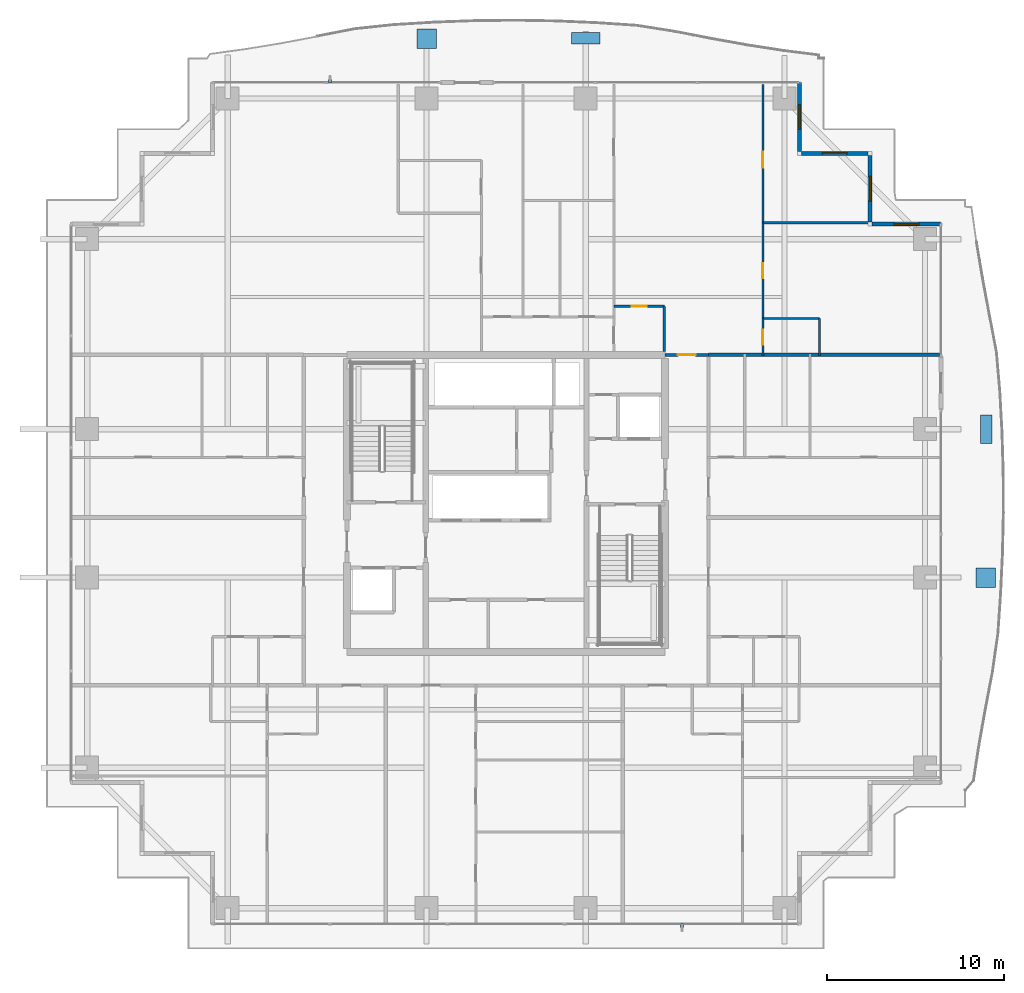
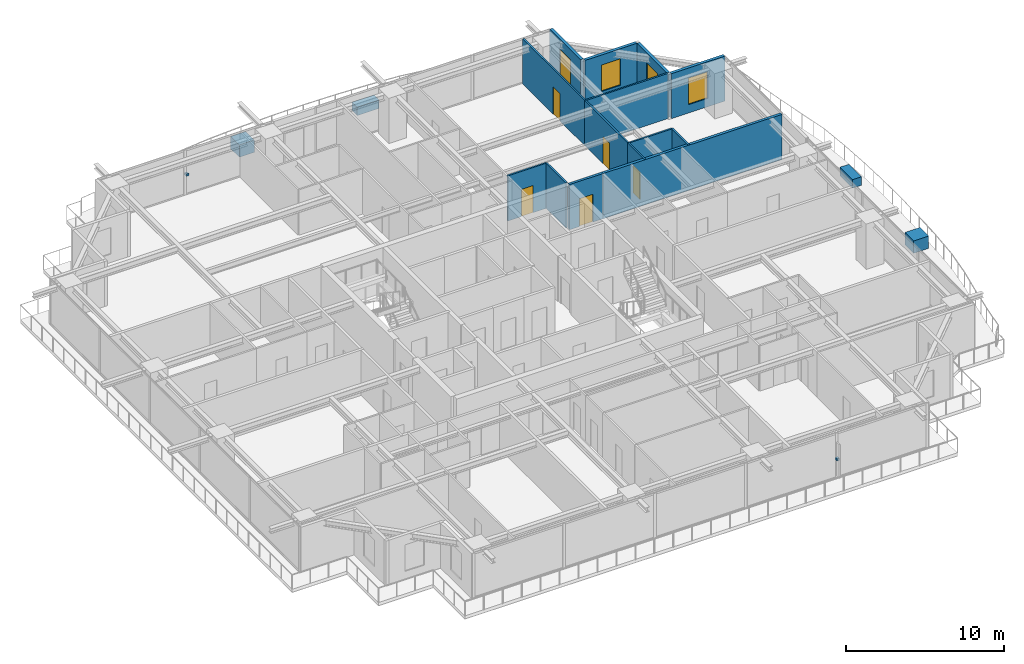
# One storey, part 28 of 34: 14 walls, 6 discrete accessories, 5 doors, 4 windows, 9 openings.
"""IFC4 building model written with IfcOpenShell, lengths in metres."""

from ifc_helpers import new_model, si_unit, direction, frame, frame_2d, origin, origin_2d, place, context, subcontext, project, spatial, rectangle, extrude, source, transform, mapped, material, layer, layer_set, type_object, element, fill, save


model = new_model("IFC4")

# Units and contexts
model_context = context("Model", 3, precision=1e-05, world=origin(), true_north=direction((0.0, 1.0)))
body_context = subcontext(model_context, "Body", "Model", "MODEL_VIEW")
ifc_project = project(units=[si_unit("LENGTHUNIT", "METRE"), si_unit("AREAUNIT", "SQUARE_METRE"), si_unit("VOLUMEUNIT", "CUBIC_METRE"), si_unit("PLANEANGLEUNIT", "RADIAN"), si_unit("MASSUNIT", "GRAM", prefix="KILO")], contexts=[model_context])

# Site, building, storey
site_placement = place(None, origin())
site = spatial("IfcSite", under=ifc_project, at=site_placement, CompositionType="ELEMENT")
building_placement = place(site_placement, origin())
building = spatial("IfcBuilding", under=site, at=building_placement, Name="Serunith Strait Residences", CompositionType="ELEMENT")
storey_placement = place(building_placement, frame((0.0, 0.0, 180.14990234375)))
storey = spatial("IfcBuildingStorey", under=building, at=storey_placement, Name="L45", CompositionType="ELEMENT", Elevation=180.14990234375)

# Wall, opening, window
ifc_material_1 = material(Name="Pale-Champagne Aluminium Insulated Panel", Category="aluminium")
ifc_layer_1 = layer(ifc_material_1, 0.219970703125, Name="Pale-Champagne Aluminium Insulated Panel")
ifc_layer_set_1 = layer_set([ifc_layer_1], Name="Pale-Champagne Aluminium Insulated Panel")
wall_type_1 = type_object("IfcWallType", Name="EW-ALUM-220", PredefinedType="ELEMENTEDWALL", material=ifc_layer_set_1)
wall_1_placement = place(storey_placement, frame((57.0, 41.0, 0.0), z_axis=(0.0, 0.0, 1.0), x_axis=(-1.0, 0.0, 0.0)))
wall_1 = element("IfcWall", 1, at=wall_1_placement, inside=storey, type_object=wall_type_1, Name="L45 Girih Serrated Corner Wall 07", PredefinedType="ELEMENTEDWALL", context=body_context, shape_type="SweptSolid", body=[
    extrude(rectangle(XDim=3.889892578125, YDim=0.219970703125, at=frame_2d((1.94482421875, 0.0))), origin(), (0.0, 0.0, 1.0), 3.47509765625),
])
opening_1_placement = place(wall_1_placement, frame((1.2451171875, 0.0, 0.64990234375)))
opening_1 = element("IfcOpeningElement", 2, at=opening_1_placement, cuts=wall_1, Name="Opening W-03", PredefinedType="OPENING", context=body_context, shape_type="SweptSolid", body=[
    extrude(rectangle(XDim=1.39990234375, YDim=2.050048828125, at=frame_2d((0.699951171875, 1.02490234375))), frame((0.0, 0.1201171875, 0.0), z_axis=(0.0, -1.0, 0.0), x_axis=(1.0, 0.0, 0.0)), (0.0, 0.0, 1.0), 0.239990234375),
])
ifc_material_2 = material(Name="Ceramic-Fritted Operable Aluminium Window Glass", Category="aluminium")
window_type = type_object("IfcWindowType", Name="WIN-C3", PartitioningType="SINGLE_PANEL", PredefinedType="WINDOW", material=ifc_material_2)
shared_shape_1 = source(origin(), body_context, "Body", "SweptSolid", [
    extrude(rectangle(XDim=1.39990234375, YDim=2.050048828125, at=frame_2d((0.699951171875, 1.02490234375))), frame((0.0, 0.030029296875, 0.0), z_axis=(0.0, -1.0, 0.0), x_axis=(1.0, 0.0, 0.0)), (0.0, 0.0, 1.0), 0.06005859375),
])
window_1_placement = place(opening_1_placement, origin())
window_1 = element("IfcWindow", 3, at=window_1_placement, inside=storey, type_object=window_type, Name="L45 Corner Operable Fritted Window 07", OverallHeight=2.050048828125, OverallWidth=1.39990234375, PartitioningType="SINGLE_PANEL", PredefinedType="WINDOW", context=body_context, shape_type="MappedRepresentation", body=[
    mapped(shared_shape_1, transform((0.0, 0.0, 0.0), scale=1.0)),
])
fill(opening_1, window_1)

wall_2_placement = place(storey_placement, frame((53.0, 41.110107421875, 0.0), z_axis=(0.0, 0.0, 1.0), x_axis=(0.0, 1.0, 0.0)))
wall_2 = element("IfcWall", 4, at=wall_2_placement, inside=storey, type_object=wall_type_1, Name="L45 Girih Serrated Corner Wall 08", PredefinedType="ELEMENTEDWALL", context=body_context, shape_type="SweptSolid", body=[
    extrude(rectangle(XDim=3.77978515625, YDim=0.219970703125, at=frame_2d((1.889892578125, 0.0))), origin(), (0.0, 0.0, 1.0), 3.47509765625),
])
opening_2_placement = place(wall_2_placement, frame((1.18994140625, 0.0, 0.64990234375)))
opening_2 = element("IfcOpeningElement", 5, at=opening_2_placement, cuts=wall_2, Name="Opening W-03", PredefinedType="OPENING", context=body_context, shape_type="SweptSolid", body=[
    extrude(rectangle(XDim=1.39990234375, YDim=2.050048828125, at=frame_2d((0.699951171875, 1.02490234375))), frame((0.0, 0.1201171875, 0.0), z_axis=(0.0, -1.0, 0.0), x_axis=(1.0, 0.0, 0.0)), (0.0, 0.0, 1.0), 0.239990234375),
])
window_2_placement = place(opening_2_placement, origin())
window_2 = element("IfcWindow", 6, at=window_2_placement, inside=storey, type_object=window_type, Name="L45 Corner Operable Fritted Window 08", OverallHeight=2.050048828125, OverallWidth=1.39990234375, PartitioningType="SINGLE_PANEL", PredefinedType="WINDOW", context=body_context, shape_type="MappedRepresentation", body=[
    mapped(shared_shape_1, transform((0.0, 0.0, 0.0), scale=1.0)),
])
fill(opening_2, window_2)

wall_3_placement = place(storey_placement, frame((52.889892578125, 45.0, 0.0), z_axis=(0.0, 0.0, 1.0), x_axis=(-1.0, 0.0, 0.0)))
wall_3 = element("IfcWall", 7, at=wall_3_placement, inside=storey, type_object=wall_type_1, Name="L45 Girih Serrated Corner Wall 09", PredefinedType="ELEMENTEDWALL", context=body_context, shape_type="SweptSolid", body=[
    extrude(rectangle(XDim=3.77978515625, YDim=0.219970703125, at=frame_2d((1.889892578125, 0.0))), origin(), (0.0, 0.0, 1.0), 3.47509765625),
])
opening_3_placement = place(wall_3_placement, frame((1.18994140625, 0.0, 0.64990234375)))
opening_3 = element("IfcOpeningElement", 8, at=opening_3_placement, cuts=wall_3, Name="Opening W-03", PredefinedType="OPENING", context=body_context, shape_type="SweptSolid", body=[
    extrude(rectangle(XDim=1.39990234375, YDim=2.050048828125, at=frame_2d((0.699951171875, 1.02490234375))), frame((0.0, 0.1201171875, 0.0), z_axis=(0.0, -1.0, 0.0), x_axis=(1.0, 0.0, 0.0)), (0.0, 0.0, 1.0), 0.239990234375),
])
window_3_placement = place(opening_3_placement, origin())
window_3 = element("IfcWindow", 9, at=window_3_placement, inside=storey, type_object=window_type, Name="L45 Corner Operable Fritted Window 09", OverallHeight=2.050048828125, OverallWidth=1.39990234375, PartitioningType="SINGLE_PANEL", PredefinedType="WINDOW", context=body_context, shape_type="MappedRepresentation", body=[
    mapped(shared_shape_1, transform((0.0, 0.0, 0.0), scale=1.0)),
])
fill(opening_3, window_3)

wall_4_placement = place(storey_placement, frame((49.0, 45.110107421875, 0.0), z_axis=(0.0, 0.0, 1.0), x_axis=(0.0, 1.0, 0.0)))
wall_4 = element("IfcWall", 10, at=wall_4_placement, inside=storey, type_object=wall_type_1, Name="L45 Girih Serrated Corner Wall 10", PredefinedType="ELEMENTEDWALL", context=body_context, shape_type="SweptSolid", body=[
    extrude(rectangle(XDim=3.889892578125, YDim=0.219970703125, at=frame_2d((1.94482421875, 0.0))), origin(), (0.0, 0.0, 1.0), 3.47509765625),
])
opening_4_placement = place(wall_4_placement, frame((1.2451171875, 0.0, 0.64990234375)))
opening_4 = element("IfcOpeningElement", 11, at=opening_4_placement, cuts=wall_4, Name="Opening W-03", PredefinedType="OPENING", context=body_context, shape_type="SweptSolid", body=[
    extrude(rectangle(XDim=1.39990234375, YDim=2.050048828125, at=frame_2d((0.699951171875, 1.02490234375))), frame((0.0, 0.1201171875, 0.0), z_axis=(0.0, -1.0, 0.0), x_axis=(1.0, 0.0, 0.0)), (0.0, 0.0, 1.0), 0.239990234375),
])
window_4_placement = place(opening_4_placement, origin())
window_4 = element("IfcWindow", 12, at=window_4_placement, inside=storey, type_object=window_type, Name="L45 Corner Operable Fritted Window 10", OverallHeight=2.050048828125, OverallWidth=1.39990234375, PartitioningType="SINGLE_PANEL", PredefinedType="WINDOW", context=body_context, shape_type="MappedRepresentation", body=[
    mapped(shared_shape_1, transform((0.0, 0.0, 0.0), scale=1.0)),
])
fill(opening_4, window_4)

# Wall, opening, door
ifc_material_3 = material(Name="Fire-rated acoustic gypsum partition")
ifc_layer_2 = layer(ifc_material_3, 0.179931640625, Name="Fire-rated acoustic gypsum partition")
ifc_layer_set_2 = layer_set([ifc_layer_2], Name="Fire-rated acoustic gypsum partition")
wall_type_2 = type_object("IfcWallType", Name="IW-CORR-180", PredefinedType="PARTITIONING", material=ifc_layer_set_2)
wall_5_placement = place(storey_placement, frame((41.402099609375, 33.60009765625, 0.0), z_axis=(0.0, 0.0, 1.0), x_axis=(1.0, 0.0, 0.0)))
wall_5 = element("IfcWall", 13, at=wall_5_placement, inside=storey, type_object=wall_type_2, Name="L45 Partition Wall 030", PredefinedType="PARTITIONING", context=body_context, shape_type="SweptSolid", body=[
    extrude(rectangle(XDim=2.44580078125, YDim=0.179931640625, at=frame_2d((1.222900390625, 0.0))), origin(), (0.0, 0.0, 1.0), 3.489990234375),
])
opening_5_placement = place(wall_5_placement, frame((0.722900390625, 0.0, 0.0)))
opening_5 = element("IfcOpeningElement", 14, at=opening_5_placement, cuts=wall_5, Name="Opening D-APT1000", PredefinedType="OPENING", context=body_context, shape_type="SweptSolid", body=[
    extrude(rectangle(XDim=1.0, YDim=2.14990234375, at=frame_2d((0.5, 1.074951171875))), frame((0.0, 0.10009765625, 0.0), z_axis=(0.0, -1.0, 0.0), x_axis=(1.0, 0.0, 0.0)), (0.0, 0.0, 1.0), 0.199951171875),
])
ifc_material_4 = material(Name="Solid timber engineered fire door", Category="wood")
door_type_1 = type_object("IfcDoorType", Name="ID-APT-1000", OperationType="NOTDEFINED", PredefinedType="DOOR", material=ifc_material_4)
shared_shape_2 = source(origin(), body_context, "Body", "SweptSolid", [
    extrude(rectangle(XDim=1.0, YDim=2.14990234375, at=frame_2d((0.5, 1.074951171875))), frame((0.0, 0.02490234375, 0.0), z_axis=(0.0, -1.0, 0.0), x_axis=(1.0, 0.0, 0.0)), (0.0, 0.0, 1.0), 0.050048828125),
])
door_1_placement = place(opening_5_placement, origin())
door_1 = element("IfcDoor", 15, at=door_1_placement, inside=storey, type_object=door_type_1, Name="L45 Unit 04 Entrance Door", OperationType="SINGLE_SWING_RIGHT", OverallHeight=2.14990234375, OverallWidth=1.0, PredefinedType="DOOR", context=body_context, shape_type="MappedRepresentation", body=[
    mapped(shared_shape_2, transform((0.0, 0.0, 0.0), scale=1.0)),
])
fill(opening_5, door_1)

ifc_material_5 = material(Name="Lightweight steel-stud gypsum partition", Category="steel")
ifc_layer_3 = layer(ifc_material_5, 0.1201171875, Name="Lightweight steel-stud gypsum partition")
ifc_layer_set_3 = layer_set([ifc_layer_3], Name="Lightweight steel-stud gypsum partition")
wall_type_3 = type_object("IfcWallType", Name="IW-PART-120", PredefinedType="PARTITIONING", material=ifc_layer_set_3)
wall_6_placement = place(storey_placement, frame((38.5, 36.35009765625, 0.0), z_axis=(0.0, 0.0, 1.0), x_axis=(1.0, 0.0, 0.0)))
wall_6 = element("IfcWall", 16, at=wall_6_placement, inside=storey, type_object=wall_type_3, Name="L45 Partition Wall 054", PredefinedType="PARTITIONING", context=body_context, shape_type="SweptSolid", body=[
    extrude(rectangle(XDim=2.85009765625, YDim=0.1201171875, at=frame_2d((1.425048828125, 0.0))), origin(), (0.0, 0.0, 1.0), 3.489990234375),
])
opening_6_placement = place(wall_6_placement, frame((1.0, 0.0, 0.0)))
opening_6 = element("IfcOpeningElement", 17, at=opening_6_placement, cuts=wall_6, Name="Opening D-RM850", PredefinedType="OPENING", context=body_context, shape_type="SweptSolid", body=[
    extrude(rectangle(XDim=0.85009765625, YDim=2.10009765625, at=frame_2d((0.425048828125, 1.050048828125))), frame((0.0, 0.070068359375, 0.0), z_axis=(0.0, -1.0, 0.0), x_axis=(1.0, 0.0, 0.0)), (0.0, 0.0, 1.0), 0.14013671875),
])
ifc_material_6 = material(Name="Engineered timber flush study and kitchen door", Category="wood")
door_type_2 = type_object("IfcDoorType", Name="ID-ROOM-850", OperationType="NOTDEFINED", PredefinedType="DOOR", material=ifc_material_6)
shared_shape_3 = source(origin(), body_context, "Body", "SweptSolid", [
    extrude(rectangle(XDim=0.85009765625, YDim=2.10009765625, at=frame_2d((0.425048828125, 1.050048828125))), frame((0.0, 0.02490234375, 0.0), z_axis=(0.0, -1.0, 0.0), x_axis=(1.0, 0.0, 0.0)), (0.0, 0.0, 1.0), 0.050048828125),
])
door_2_placement = place(opening_6_placement, origin())
door_2 = element("IfcDoor", 18, at=door_2_placement, inside=storey, type_object=door_type_2, Name="L45 Kitchen 4504 Door", OperationType="SINGLE_SWING_LEFT", OverallHeight=2.10009765625, OverallWidth=0.85009765625, PredefinedType="DOOR", context=body_context, shape_type="MappedRepresentation", body=[
    mapped(shared_shape_3, transform((0.0, 0.0, 0.0), scale=1.0)),
])
fill(opening_6, door_2)

# Wall
wall_7_placement = place(storey_placement, frame((41.35009765625, 36.35009765625, 0.0), z_axis=(0.0, 0.0, 1.0), x_axis=(0.0, -1.0, 0.0)))
element("IfcWall", 19, at=wall_7_placement, inside=storey, type_object=wall_type_3, Name="L45 Partition Wall 055", PredefinedType="PARTITIONING", context=body_context, shape_type="SweptSolid", body=[
    extrude(rectangle(XDim=2.550048828125, YDim=0.1201171875, at=frame_2d((1.27490234375, 0.0))), origin(), (0.0, 0.0, 1.0), 3.489990234375),
])

# Wall, opening, door
wall_8_placement = place(storey_placement, frame((46.929931640625, 48.905029296875, 0.0), z_axis=(0.0, 0.0, 1.0), x_axis=(0.0, -1.0, 0.0)))
wall_8 = element("IfcWall", 20, at=wall_8_placement, inside=storey, type_object=wall_type_3, Name="L45 Partition Wall 071", PredefinedType="PARTITIONING", context=body_context, shape_type="SweptSolid", body=[
    extrude(rectangle(XDim=7.830078125, YDim=0.1201171875, at=frame_2d((3.9150390625, 0.0))), origin(), (0.0, 0.0, 1.0), 3.489990234375),
])
opening_7_placement = place(wall_8_placement, frame((3.81103515625, 0.0, 0.0)))
opening_7 = element("IfcOpeningElement", 21, at=opening_7_placement, cuts=wall_8, Name="Opening D-RM900", PredefinedType="OPENING", context=body_context, shape_type="SweptSolid", body=[
    extrude(rectangle(XDim=0.89990234375, YDim=2.10009765625, at=frame_2d((0.449951171875, 1.050048828125))), frame((0.0, 0.070068359375, 0.0), z_axis=(0.0, -1.0, 0.0), x_axis=(1.0, 0.0, 0.0)), (0.0, 0.0, 1.0), 0.14013671875),
])
ifc_material_7 = material(Name="Engineered timber flush bedroom door", Category="wood")
door_type_3 = type_object("IfcDoorType", Name="ID-ROOM-900", OperationType="NOTDEFINED", PredefinedType="DOOR", material=ifc_material_7)
shared_shape_4 = source(origin(), body_context, "Body", "SweptSolid", [
    extrude(rectangle(XDim=0.89990234375, YDim=2.10009765625, at=frame_2d((0.449951171875, 1.050048828125))), frame((0.0, 0.02490234375, 0.0), z_axis=(0.0, -1.0, 0.0), x_axis=(1.0, 0.0, 0.0)), (0.0, 0.0, 1.0), 0.050048828125),
])
door_3_placement = place(opening_7_placement, origin())
door_3 = element("IfcDoor", 22, at=door_3_placement, inside=storey, type_object=door_type_3, Name="L45 Bedroom 3 4504 Door", OperationType="SINGLE_SWING_LEFT", OverallHeight=2.10009765625, OverallWidth=0.89990234375, PredefinedType="DOOR", context=body_context, shape_type="MappedRepresentation", body=[
    mapped(shared_shape_4, transform((0.0, 0.0, 0.0), scale=1.0)),
])
fill(opening_7, door_3)

# Walls
wall_9_placement = place(storey_placement, frame((46.929931640625, 41.074951171875, 0.0), z_axis=(0.0, 0.0, 1.0), x_axis=(1.0, 0.0, 0.0)))
element("IfcWall", 23, at=wall_9_placement, inside=storey, type_object=wall_type_3, Name="L45 Partition Wall 072", PredefinedType="PARTITIONING", context=body_context, shape_type="SweptSolid", body=[
    extrude(rectangle(XDim=5.97509765625, YDim=0.1201171875, at=frame_2d((2.987548828125, 0.0))), origin(), (0.0, 0.0, 1.0), 3.489990234375),
])
wall_10_placement = place(storey_placement, frame((46.929931640625, 35.64990234375, 0.0), z_axis=(0.0, 0.0, 1.0), x_axis=(1.0, 0.0, 0.0)))
element("IfcWall", 24, at=wall_10_placement, inside=storey, type_object=wall_type_3, Name="L45 Partition Wall 073", PredefinedType="PARTITIONING", context=body_context, shape_type="SweptSolid", body=[
    extrude(rectangle(XDim=3.199951171875, YDim=0.1201171875, at=frame_2d((1.60009765625, 0.0))), origin(), (0.0, 0.0, 1.0), 3.489990234375),
])
wall_11_placement = place(storey_placement, frame((50.1298828125, 35.64990234375, 0.0), z_axis=(0.0, 0.0, 1.0), x_axis=(0.0, -1.0, 0.0)))
element("IfcWall", 25, at=wall_11_placement, inside=storey, type_object=wall_type_3, Name="L45 Partition Wall 074", PredefinedType="PARTITIONING", context=body_context, shape_type="SweptSolid", body=[
    extrude(rectangle(XDim=2.10986328125, YDim=0.1201171875, at=frame_2d((1.054931640625, 0.0))), origin(), (0.0, 0.0, 1.0), 3.489990234375),
])

# Wall, opening, door
wall_12_placement = place(storey_placement, frame((46.929931640625, 41.072998046875, 0.0), z_axis=(0.0, 0.0, 1.0), x_axis=(0.0, -1.0, 0.0)))
wall_12 = element("IfcWall", 26, at=wall_12_placement, inside=storey, type_object=wall_type_3, Name="L45 Partition Wall 075", PredefinedType="PARTITIONING", context=body_context, shape_type="SweptSolid", body=[
    extrude(rectangle(XDim=5.423095703125, YDim=0.1201171875, at=frame_2d((2.71142578125, 0.0))), origin(), (0.0, 0.0, 1.0), 3.489990234375),
])
opening_8_placement = place(wall_12_placement, frame((2.287109375, 0.0, 0.0)))
opening_8 = element("IfcOpeningElement", 27, at=opening_8_placement, cuts=wall_12, Name="Opening D-RM850", PredefinedType="OPENING", context=body_context, shape_type="SweptSolid", body=[
    extrude(rectangle(XDim=0.85009765625, YDim=2.10009765625, at=frame_2d((0.425048828125, 1.050048828125))), frame((0.0, 0.070068359375, 0.0), z_axis=(0.0, -1.0, 0.0), x_axis=(1.0, 0.0, 0.0)), (0.0, 0.0, 1.0), 0.14013671875),
])
door_4_placement = place(opening_8_placement, origin())
door_4 = element("IfcDoor", 28, at=door_4_placement, inside=storey, type_object=door_type_2, Name="L45 Walk-in Wardrobe 4504 Door", OperationType="SINGLE_SWING_RIGHT", OverallHeight=2.10009765625, OverallWidth=0.85009765625, PredefinedType="DOOR", context=body_context, shape_type="MappedRepresentation", body=[
    mapped(shared_shape_3, transform((0.0, 0.0, 0.0), scale=1.0)),
])
fill(opening_8, door_4)

wall_13_placement = place(storey_placement, frame((46.929931640625, 35.64794921875, 0.0), z_axis=(0.0, 0.0, 1.0), x_axis=(0.0, -1.0, 0.0)))
wall_13 = element("IfcWall", 29, at=wall_13_placement, inside=storey, type_object=wall_type_3, Name="L45 Partition Wall 076", PredefinedType="PARTITIONING", context=body_context, shape_type="SweptSolid", body=[
    extrude(rectangle(XDim=2.10791015625, YDim=0.1201171875, at=frame_2d((1.053955078125, 0.0))), origin(), (0.0, 0.0, 1.0), 3.489990234375),
])
opening_9_placement = place(wall_13_placement, frame((0.62890625, 0.0, 0.0)))
opening_9 = element("IfcOpeningElement", 30, at=opening_9_placement, cuts=wall_13, Name="Opening D-BTH850", PredefinedType="OPENING", context=body_context, shape_type="SweptSolid", body=[
    extrude(rectangle(XDim=0.85009765625, YDim=2.10009765625, at=frame_2d((0.425048828125, 1.050048828125))), frame((0.0, 0.070068359375, 0.0), z_axis=(0.0, -1.0, 0.0), x_axis=(1.0, 0.0, 0.0)), (0.0, 0.0, 1.0), 0.14013671875),
])
ifc_material_8 = material(Name="Moisture-resistant timber bathroom door", Category="wood")
door_type_4 = type_object("IfcDoorType", Name="ID-BATH-850", OperationType="NOTDEFINED", PredefinedType="DOOR", material=ifc_material_8)
door_5_placement = place(opening_9_placement, origin())
door_5 = element("IfcDoor", 31, at=door_5_placement, inside=storey, type_object=door_type_4, Name="L45 Bathroom 4504 Door", OperationType="SINGLE_SWING_LEFT", OverallHeight=2.10009765625, OverallWidth=0.85009765625, PredefinedType="DOOR", context=body_context, shape_type="MappedRepresentation", body=[
    mapped(shared_shape_3, transform((0.0, 0.0, 0.0), scale=1.0)),
])
fill(opening_9, door_5)

# Wall
ifc_material_9 = material(Name="Twin-stud acoustic gypsum board partition")
ifc_layer_4 = layer(ifc_material_9, 0.199951171875, Name="Twin-stud acoustic gypsum board partition")
ifc_layer_set_4 = layer_set([ifc_layer_4], Name="Twin-stud acoustic gypsum board partition")
wall_type_4 = type_object("IfcWallType", Name="IW-PARTY-200", PredefinedType="PARTITIONING", material=ifc_layer_set_4)
wall_14_placement = place(storey_placement, frame((43.85009765625, 33.60009765625, 0.0), z_axis=(0.0, 0.0, 1.0), x_axis=(1.0, 0.0, 0.0)))
element("IfcWall", 32, at=wall_14_placement, inside=storey, type_object=wall_type_4, Name="L45 Partition Wall 025", PredefinedType="PARTITIONING", context=body_context, shape_type="SweptSolid", body=[
    extrude(rectangle(XDim=13.06787109375, YDim=0.199951171875, at=frame_2d((6.533935546875, 0.0))), origin(), (0.0, 0.0, 1.0), 3.489990234375),
])

# Discrete accessories
ifc_material_10 = material(Name="GFRC Root-Anchored Structural Planter")
discrete_accessory_type_1 = type_object("IfcDiscreteAccessoryType", Name="ACC-PLANTER-TREE", PredefinedType="USERDEFINED", material=ifc_material_10)
shared_shape_5 = source(origin(), body_context, "Body", "SweptSolid", [
    extrude(rectangle(XDim=1.10009765625, YDim=1.10009765625, at=origin_2d()), origin(), (0.0, 0.0, 1.0), 0.949951171875),
])
for number, where, z_axis, x_axis, name in (
    (33, (27.89990234375, 51.486572265625, -0.0498046875), (0.0, 0.0, 1.0), (-1.0, 0.0, 0.0), "L45 Vertical-Forest Tree Planter 06"),
    (34, (59.531005859375, 21.0, -0.0498046875), (0.0, 0.0, 1.0), (0.0, 1.0, 0.0), "L45 Vertical-Forest Tree Planter 10"),
):
    element("IfcDiscreteAccessory", number, at=place(storey_placement, frame(where, z_axis=z_axis, x_axis=x_axis)), inside=storey, type_object=discrete_accessory_type_1, Name=name, ObjectType="PLANTER", PredefinedType="USERDEFINED", context=body_context, shape_type="MappedRepresentation", body=[
        mapped(shared_shape_5, transform((0.0, 0.0, 0.0), scale=1.0)),
    ])
ifc_material_11 = material(Name="GFRC Irrigated Shrub Trough Planter")
discrete_accessory_type_2 = type_object("IfcDiscreteAccessoryType", Name="ACC-PLANTER-SHRUB", PredefinedType="USERDEFINED", material=ifc_material_11)
shared_shape_6 = source(origin(), body_context, "Body", "SweptSolid", [
    extrude(rectangle(XDim=1.60009765625, YDim=0.64990234375, at=origin_2d()), origin(), (0.0, 0.0, 1.0), 0.64990234375),
])
for number, where, z_axis, x_axis, name in (
    (35, (36.89990234375, 51.510498046875, -0.0498046875), (0.0, 0.0, 1.0), (-1.0, 0.0, 0.0), "L45 Vertical-Forest Shrub Planter 07"),
    (36, (59.559814453125, 29.39990234375, -0.0498046875), (0.0, 0.0, 1.0), (0.0, 1.0, 0.0), "L45 Vertical-Forest Shrub Planter 11"),
):
    element("IfcDiscreteAccessory", number, at=place(storey_placement, frame(where, z_axis=z_axis, x_axis=x_axis)), inside=storey, type_object=discrete_accessory_type_2, Name=name, ObjectType="PLANTER", PredefinedType="USERDEFINED", context=body_context, shape_type="MappedRepresentation", body=[
        mapped(shared_shape_6, transform((0.0, 0.0, 0.0), scale=1.0)),
    ])
ifc_material_12 = material(Name="Stainless Steel Facade Cleat Bracket", Category="steel")
discrete_accessory_type_3 = type_object("IfcDiscreteAccessoryType", Name="ACC-FIN-BRACKET", PredefinedType="USERDEFINED", material=ifc_material_12)
shared_shape_7 = source(origin(), body_context, "Body", "SweptSolid", [
    extrude(rectangle(XDim=0.179931640625, YDim=0.219970703125, at=origin_2d()), origin(), (0.0, 0.0, 1.0), 0.179931640625),
])
for number, where, z_axis, x_axis, name in (
    (37, (42.360107421875, 1.320068359375, 1.41015625), (0.0, 0.0, 1.0), (1.0, 0.0, 0.0), "L45 Solar Fin Cleat Bracket S"),
    (38, (22.43994140625, 49.080078125, 1.41015625), (0.0, 0.0, 1.0), (1.0, 0.0, 0.0), "L45 Solar Fin Cleat Bracket N"),
):
    element("IfcDiscreteAccessory", number, at=place(storey_placement, frame(where, z_axis=z_axis, x_axis=x_axis)), inside=storey, type_object=discrete_accessory_type_3, Name=name, ObjectType="BRACKET", PredefinedType="USERDEFINED", context=body_context, shape_type="MappedRepresentation", body=[
        mapped(shared_shape_7, transform((0.0, 0.0, 0.0), scale=1.0)),
    ])

save(model, "model.ifc")
